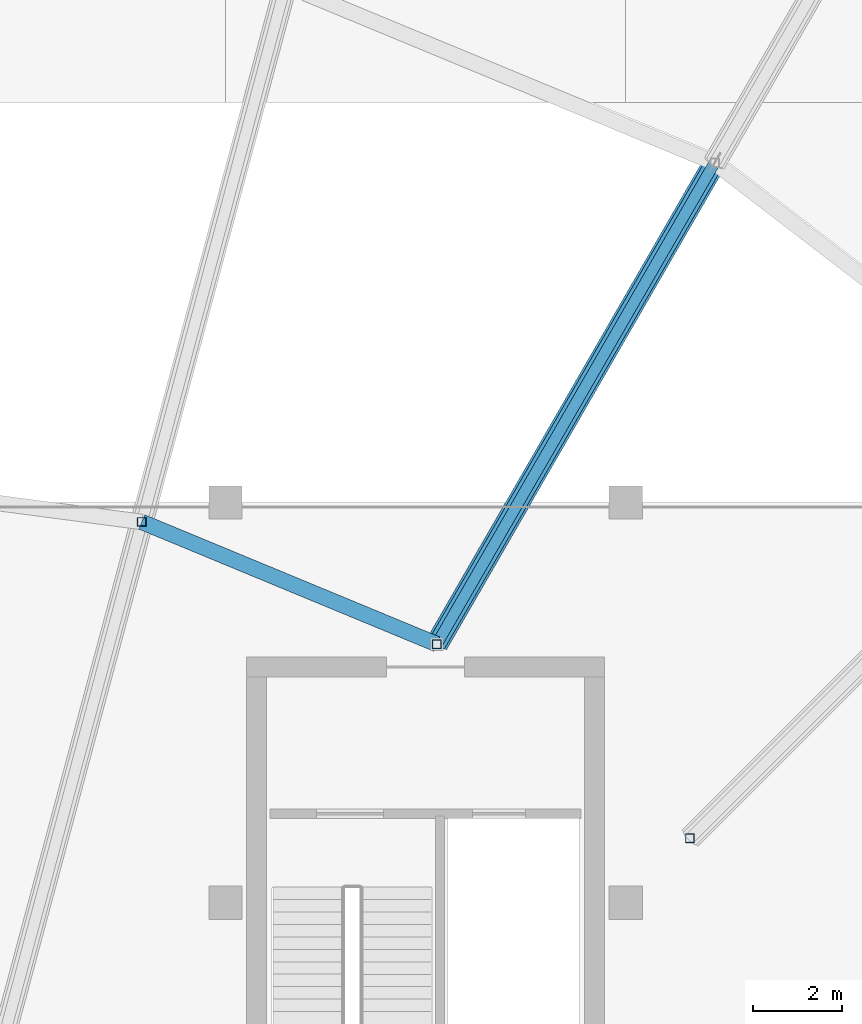
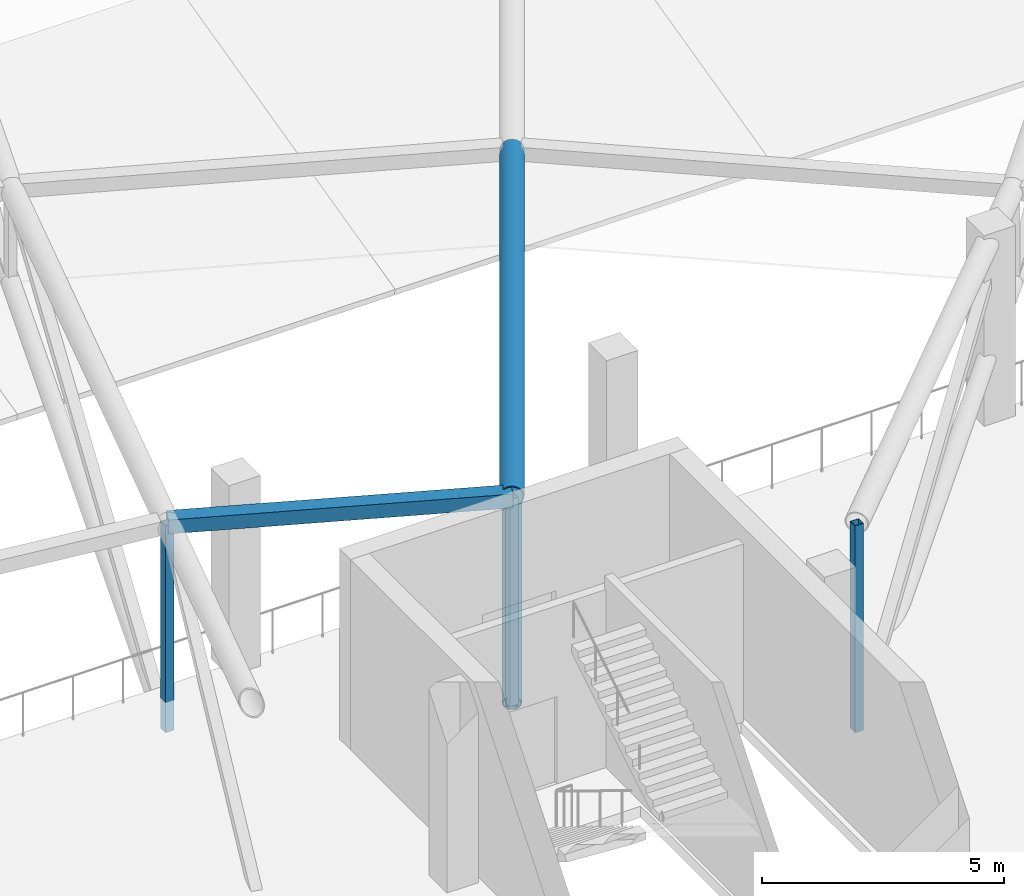
# One storey, part 78 of 167: 7 members.
"""IFC4 building model written with IfcOpenShell, lengths in metres."""

from ifc_helpers import new_model, si_unit, direction, frame, origin, origin_2d, place, context, subcontext, project, spatial, hollow_rectangle, hollow_circle, extrude, material, material_profile, profile_set, type_object, element, save


model = new_model("IFC4")

# Units and contexts
model_context = context("Model", 3, precision=1e-05, world=origin(), true_north=direction((0.0, 1.0)))
body_context = subcontext(model_context, "Body", "Model", "MODEL_VIEW")
ifc_project = project(units=[si_unit("LENGTHUNIT", "METRE"), si_unit("AREAUNIT", "SQUARE_METRE"), si_unit("VOLUMEUNIT", "CUBIC_METRE"), si_unit("PLANEANGLEUNIT", "RADIAN"), si_unit("MASSUNIT", "GRAM", prefix="KILO")], contexts=[model_context])

# Site, building, storey
site_placement = place(None, origin())
site = spatial("IfcSite", under=ifc_project, at=site_placement, CompositionType="ELEMENT")
building_placement = place(site_placement, origin())
building = spatial("IfcBuilding", under=site, at=building_placement, Name="Dornveld Trade and Exhibition Forum", CompositionType="ELEMENT")
storey_placement = place(building_placement, frame((0.0, 0.0, 16.800048828125)))
storey = spatial("IfcBuildingStorey", under=building, at=storey_placement, Name="L03", CompositionType="ELEMENT", Elevation=16.800048828125)

# Members
ifc_material_1 = material(Name="Steel S355J2", Category="steel")
ifc_material_profile_1 = material_profile(ifc_material_1, hollow_circle(Radius=0.203125, WallThickness=0.02001953125, at=origin_2d()), Name="CHS 406.4x20")
ifc_profile_set_1 = profile_set([ifc_material_profile_1], Name="Steel S355J2")
member_type_1 = type_object("IfcMemberType", Name="MEM-DISC-BC", PredefinedType="CHORD", material=ifc_profile_set_1)
member_1_placement = place(storey_placement, frame((130.75, 104.815673828125, -0.76220703125), z_axis=(0.487587944083, 0.844536602678, 0.22139540086), x_axis=(-0.86602784187, 0.499995777088, 0.0)))
element("IfcMember", 1, at=member_1_placement, inside=storey, type_object=member_type_1, Name="Roof disc radial R05 conical bottom chord 2", PredefinedType="CHORD", context=body_context, shape_type="SweptSolid", body=[
    extrude(hollow_circle(Radius=0.203125, WallThickness=0.02001953125, at=origin_2d()), origin(), (0.0, 0.0, 1.0), 12.818115234375),
])
ifc_material_2 = material(Name="Steel S355J2", Category="steel")
ifc_material_profile_2 = material_profile(ifc_material_2, hollow_rectangle(XDim=0.35009765625, YDim=0.35009765625, WallThickness=0.01611328125, at=origin_2d()), Name="SHS 350x350x16")
ifc_profile_set_2 = profile_set([ifc_material_profile_2], Name="Steel S355J2")
member_type_2 = type_object("IfcMemberType", Name="MEM-DISC-RING", PredefinedType="CHORD", material=ifc_profile_set_2)
member_2_placement = place(storey_placement, frame((130.75, 104.815673828125, 4.449951171875), z_axis=(-0.923878809288, 0.382685178375, 0.0), x_axis=(-0.382685178375, -0.923878809288, 0.0)))
element("IfcMember", 2, at=member_2_placement, inside=storey, type_object=member_type_2, Name="Roof disc ring 2 chord 5", PredefinedType="CHORD", context=body_context, shape_type="SweptSolid", body=[
    extrude(hollow_rectangle(XDim=0.35009765625, YDim=0.35009765625, WallThickness=0.01611328125, at=origin_2d()), origin(), (0.0, 0.0, 1.0), 7.178955078125),
])
ifc_material_3 = material(Name="Steel S355J2", Category="steel")
ifc_material_profile_3 = material_profile(ifc_material_3, hollow_rectangle(XDim=0.199951171875, YDim=0.199951171875, WallThickness=0.010009765625, at=origin_2d()), Name="SHS 200x200x10")
ifc_profile_set_3 = profile_set([ifc_material_profile_3], Name="Steel S355J2")
member_type_3 = type_object("IfcMemberType", Name="MEM-DISC-STR", PredefinedType="STRUT", material=ifc_profile_set_3)
for number, where, z_axis, x_axis, name in (
    (3, (136.4453125, 100.4453125, -0.76220703125), (0.0, 0.0, 1.0), (1.0, 0.0, 0.0), "Roof disc radial R04 strut 2"),
    (4, (130.75, 104.815673828125, -0.76220703125), (0.0, 0.0, 1.0), (1.0, 0.0, 0.0), "Roof disc radial R05 strut 2"),
    (5, (124.117431640625, 107.56298828125, -0.76220703125), (0.0, 0.0, 1.0), (1.0, 0.0, 0.0), "Roof disc radial R06 strut 2"),
):
    element("IfcMember", number, at=place(storey_placement, frame(where, z_axis=z_axis, x_axis=x_axis)), inside=storey, type_object=member_type_3, Name=name, PredefinedType="STRUT", context=body_context, shape_type="SweptSolid", body=[
        extrude(hollow_rectangle(XDim=0.199951171875, YDim=0.199951171875, WallThickness=0.010009765625, at=origin_2d()), origin(), (0.0, 0.0, 1.0), 5.212158203125),
    ])
ifc_material_4 = material(Name="Steel S355J2", Category="steel")
ifc_material_profile_4 = material_profile(ifc_material_4, hollow_circle(Radius=0.25390625, WallThickness=0.02490234375, at=origin_2d()), Name="CHS 508x25")
ifc_profile_set_4 = profile_set([ifc_material_profile_4], Name="Steel S355J2")
member_type_4 = type_object("IfcMemberType", Name="MEM-DISC-TC", PredefinedType="CHORD", material=ifc_profile_set_4)
member_3_placement = place(storey_placement, frame((130.75, 104.815673828125, 4.449951171875), z_axis=(0.499995777088, 0.86602784187, 0.0), x_axis=(-0.86602784187, 0.499995777088, 0.0)))
element("IfcMember", 6, at=member_3_placement, inside=storey, type_object=member_type_4, Name="Roof disc radial R05 top chord 2", PredefinedType="CHORD", context=body_context, shape_type="SweptSolid", body=[
    extrude(hollow_circle(Radius=0.25390625, WallThickness=0.02490234375, at=origin_2d()), origin(), (0.0, 0.0, 1.0), 12.5),
])
ifc_material_5 = material(Name="Steel S355J2", Category="steel")
ifc_material_profile_5 = material_profile(ifc_material_5, hollow_rectangle(XDim=0.25, YDim=0.25, WallThickness=0.012451171875, at=origin_2d()), Name="SHS 250x250x12.5")
ifc_profile_set_5 = profile_set([ifc_material_profile_5], Name="Steel S355J2")
member_type_5 = type_object("IfcMemberType", Name="MEM-DISC-WEB", PredefinedType="BRACE", material=ifc_profile_set_5)
member_4_placement = place(storey_placement, frame((130.75, 104.815673828125, -0.76220703125), z_axis=(0.46148499155, 0.799324453528, 0.384853245492), x_axis=(-0.86602784187, 0.499995777088, 0.0)))
element("IfcMember", 7, at=member_4_placement, inside=storey, type_object=member_type_5, Name="Roof disc radial R05 web 2", PredefinedType="BRACE", context=body_context, shape_type="SweptSolid", body=[
    extrude(hollow_rectangle(XDim=0.25, YDim=0.25, WallThickness=0.012451171875, at=origin_2d()), origin(), (0.0, 0.0, 1.0), 13.543212890625),
])

save(model, "model.ifc")
